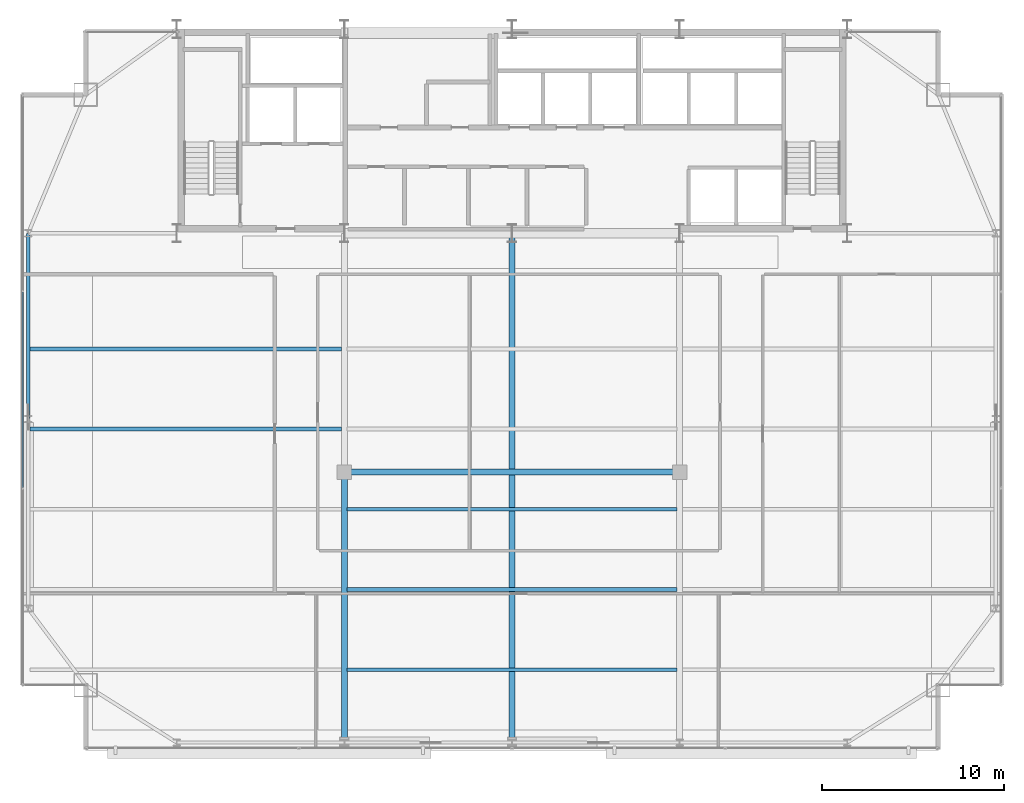
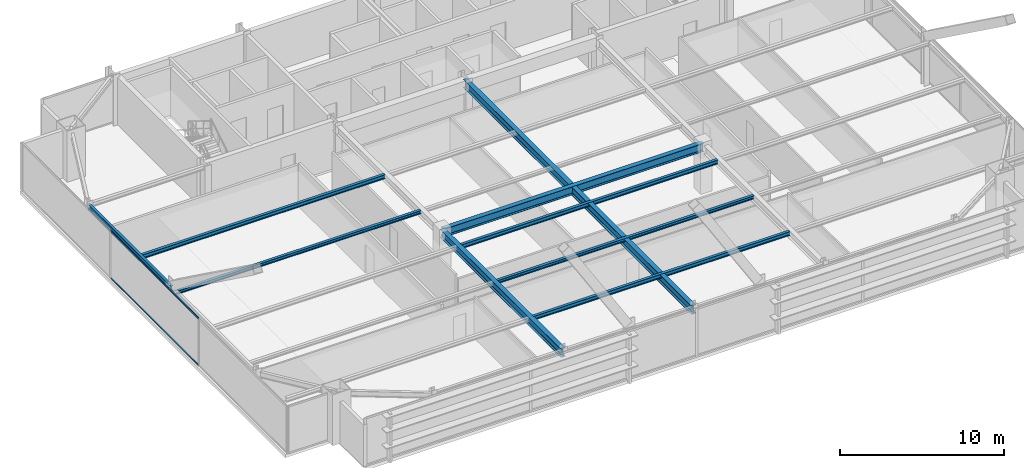
# One storey, part 10 of 30: 9 beams, 2 members, 1 element without a shape of its own.
"""IFC4 building model written with IfcOpenShell, lengths in metres."""

from ifc_helpers import new_model, si_unit, direction, frame, origin, origin_2d, place, context, subcontext, project, spatial, hollow_rectangle, i_section, extrude, source, transform, mapped, material, layer, layer_set, material_profile, profile_set, type_object, type_shapes, element, aggregate, save


model = new_model("IFC4")

# Units and contexts
model_context = context("Model", 3, precision=1e-05, world=origin(), true_north=direction((0.0, 1.0)))
body_context = subcontext(model_context, "Body", "Model", "MODEL_VIEW")
ifc_project = project(units=[si_unit("LENGTHUNIT", "METRE"), si_unit("AREAUNIT", "SQUARE_METRE"), si_unit("VOLUMEUNIT", "CUBIC_METRE"), si_unit("PLANEANGLEUNIT", "RADIAN"), si_unit("MASSUNIT", "GRAM", prefix="KILO")], contexts=[model_context])

# Site, building, storey
site_placement = place(None, origin())
site = spatial("IfcSite", under=ifc_project, at=site_placement, CompositionType="ELEMENT")
building_placement = place(site_placement, origin())
building = spatial("IfcBuilding", under=site, at=building_placement, Name="Varnel Quay Broadcast Tower", CompositionType="ELEMENT")
storey_placement = place(building_placement, frame((0.0, 0.0, 149.60009765625)))
storey = spatial("IfcBuildingStorey", under=building, at=storey_placement, Name="L36", CompositionType="ELEMENT", Elevation=149.60009765625)

# Beams
ifc_material_1 = material(Name="Structural Steel CSA G40.21 350W", Category="steel")
ifc_material_profile_1 = material_profile(ifc_material_1, i_section(OverallWidth=0.180908203125, OverallDepth=0.4169921875, WebThickness=0.010986328125, FlangeThickness=0.018310546875, FilletRadius=0.011962890625, at=origin_2d()), Name="W410X85")
ifc_profile_set_1 = profile_set([ifc_material_profile_1], Name="Structural Steel CSA G40.21 350W")
beam_type_1 = type_object("IfcBeamType", Name="Beam_W410X85", PredefinedType="SPANDREL", material=ifc_profile_set_1)
shared_shape_1 = source(origin(), body_context, "Body", "SweptSolid", [
    extrude(i_section(OverallWidth=0.180908203125, OverallDepth=0.4169921875, WebThickness=0.010986328125, FlangeThickness=0.018310546875, FilletRadius=0.011962890625, at=origin_2d()), origin(), (0.0, 0.0, 1.0), 10.16015625),
])
type_shapes(beam_type_1, [shared_shape_1])
beam_1_placement = place(storey_placement, frame((7.449951171875, 25.419921875, 3.34130859375), z_axis=(0.0, 1.0, 0.0), x_axis=(-1.0, 0.0, 0.0)))
element("IfcBeam", 1, at=beam_1_placement, inside=storey, type_object=beam_type_1, Name="L36 West Spandrel TC-W2-TC-W3", PredefinedType="SPANDREL", context=body_context, shape_type="MappedRepresentation", body=[
    mapped(shared_shape_1, transform((0.0, 0.0, 0.0), x_axis=(1.0, 0.0, 0.0), y_axis=(0.0, 1.0, 0.0), z_axis=(0.0, 0.0, 1.0), scale=1.0)),
])
ifc_material_profile_2 = material_profile(ifc_material_1, i_section(OverallWidth=0.324951171875, OverallDepth=0.615966796875, WebThickness=0.013916015625, FlangeThickness=0.021484375, FilletRadius=0.01611328125, at=origin_2d()), Name="W610X174")
ifc_profile_set_2 = profile_set([ifc_material_profile_2], Name="Structural Steel CSA G40.21 350W")
beam_type_2 = type_object("IfcBeamType", Name="Girder_W610X174", PredefinedType="BEAM", material=ifc_profile_set_2)
shared_shape_2 = source(origin(), body_context, "Body", "SweptSolid", [
    extrude(i_section(OverallWidth=0.324951171875, OverallDepth=0.615966796875, WebThickness=0.013916015625, FlangeThickness=0.021484375, FilletRadius=0.01611328125, at=origin_2d()), origin(), (0.0, 0.0, 1.0), 14.800048828125),
])
beam_2_placement = place(storey_placement, frame((24.800048828125, 7.669921875, 3.241943359375), z_axis=(0.0, 1.0, 0.0), x_axis=(-1.0, 0.0, 0.0)))
element("IfcBeam", 2, at=beam_2_placement, inside=storey, type_object=beam_type_2, Name="L36 Primary Girder TC-S2-IC-01", PredefinedType="BEAM", context=body_context, shape_type="MappedRepresentation", body=[
    mapped(shared_shape_2, transform((0.0, 0.0, 0.0), x_axis=(1.0, 0.0, 0.0), y_axis=(0.0, 1.0, 0.0), z_axis=(0.0, 0.0, 1.0), scale=1.0)),
])
shared_shape_3 = source(origin(), body_context, "Body", "SweptSolid", [
    extrude(i_section(OverallWidth=0.324951171875, OverallDepth=0.615966796875, WebThickness=0.013916015625, FlangeThickness=0.021484375, FilletRadius=0.01611328125, at=origin_2d()), origin(), (0.0, 0.0, 1.0), 18.35986328125),
])
beam_3_placement = place(storey_placement, frame((24.820068359375, 22.489990234375, 3.241943359375), z_axis=(1.0, 0.0, 0.0), x_axis=(0.0, 1.0, 0.0)))
element("IfcBeam", 3, at=beam_3_placement, inside=storey, type_object=beam_type_2, Name="L36 Interior Spine Girder", PredefinedType="BEAM", context=body_context, shape_type="MappedRepresentation", body=[
    mapped(shared_shape_3, transform((0.0, 0.0, 0.0), x_axis=(1.0, 0.0, 0.0), y_axis=(0.0, 1.0, 0.0), z_axis=(0.0, 0.0, 1.0), scale=1.0)),
])
shared_shape_4 = source(origin(), body_context, "Body", "SweptSolid", [
    extrude(i_section(OverallWidth=0.324951171875, OverallDepth=0.615966796875, WebThickness=0.013916015625, FlangeThickness=0.021484375, FilletRadius=0.01611328125, at=origin_2d()), origin(), (0.0, 0.0, 1.0), 27.91015625),
])
type_shapes(beam_type_2, [shared_shape_2, shared_shape_3, shared_shape_4])
beam_4_placement = place(storey_placement, frame((34.0, 7.669921875, 3.241943359375), z_axis=(0.0, 1.0, 0.0), x_axis=(-1.0, 0.0, 0.0)))
element("IfcBeam", 4, at=beam_4_placement, inside=storey, type_object=beam_type_2, Name="L36 Central Bay Girder", PredefinedType="BEAM", context=body_context, shape_type="MappedRepresentation", body=[
    mapped(shared_shape_4, transform((0.0, 0.0, 0.0), x_axis=(1.0, 0.0, 0.0), y_axis=(0.0, 1.0, 0.0), z_axis=(0.0, 0.0, 1.0), scale=1.0)),
])
ifc_material_profile_3 = material_profile(ifc_material_1, i_section(OverallWidth=0.202880859375, OverallDepth=0.302978515625, WebThickness=0.007568359375, FlangeThickness=0.01318359375, FilletRadius=0.011962890625, at=origin_2d()), Name="W310X60")
ifc_profile_set_3 = profile_set([ifc_material_profile_3], Name="Structural Steel CSA G40.21 350W")
beam_type_3 = type_object("IfcBeamType", Name="Beam_W310X60", PredefinedType="JOIST", material=ifc_profile_set_3)
shared_shape_5 = source(origin(), body_context, "Body", "SweptSolid", [
    extrude(i_section(OverallWidth=0.202880859375, OverallDepth=0.302978515625, WebThickness=0.007568359375, FlangeThickness=0.01318359375, FilletRadius=0.011962890625, at=origin_2d()), origin(), (0.0, 0.0, 1.0), 17.107177734375),
])
beam_5_placement = place(storey_placement, frame((7.535400390625, 29.25, 3.3984375), z_axis=(1.0, 0.0, 0.0), x_axis=(0.0, 1.0, 0.0)))
element("IfcBeam", 5, at=beam_5_placement, inside=storey, type_object=beam_type_3, Name="L36 West Floor Joist 5", PredefinedType="JOIST", context=body_context, shape_type="MappedRepresentation", body=[
    mapped(shared_shape_5, transform((0.0, 0.0, 0.0), x_axis=(1.0, 0.0, 0.0), y_axis=(0.0, 1.0, 0.0), z_axis=(0.0, 0.0, 1.0), scale=1.0)),
])
shared_shape_6 = source(origin(), body_context, "Body", "SweptSolid", [
    extrude(i_section(OverallWidth=0.202880859375, OverallDepth=0.302978515625, WebThickness=0.007568359375, FlangeThickness=0.01318359375, FilletRadius=0.011962890625, at=origin_2d()), origin(), (0.0, 0.0, 1.0), 18.0849609375),
])
type_shapes(beam_type_3, [shared_shape_5, shared_shape_6])
for number, where, z_axis, x_axis, name in (
    (6, (24.95751953125, 11.64990234375, 3.3984375), (1.0, 0.0, 0.0), (0.0, 1.0, 0.0), "L36 Central Floor Joist 1"),
    (7, (24.95751953125, 20.449951171875, 3.3984375), (1.0, 0.0, 0.0), (0.0, 1.0, 0.0), "L36 Central Floor Joist 3"),
):
    element("IfcBeam", number, at=place(storey_placement, frame(where, z_axis=z_axis, x_axis=x_axis)), inside=storey, type_object=beam_type_3, Name=name, PredefinedType="JOIST", context=body_context, shape_type="MappedRepresentation", body=[
        mapped(shared_shape_6, transform((0.0, 0.0, 0.0), x_axis=(1.0, 0.0, 0.0), y_axis=(0.0, 1.0, 0.0), z_axis=(0.0, 0.0, 1.0), scale=1.0)),
    ])
ifc_material_profile_4 = material_profile(ifc_material_1, i_section(OverallWidth=0.201904296875, OverallDepth=0.2470703125, WebThickness=0.00732421875, FlangeThickness=0.010986328125, FilletRadius=0.010986328125, at=origin_2d()), Name="W250X49")
ifc_profile_set_4 = profile_set([ifc_material_profile_4], Name="Structural Steel CSA G40.21 350W")
beam_type_4 = type_object("IfcBeamType", Name="Beam_W250X49", PredefinedType="JOIST", material=ifc_profile_set_4)
shared_shape_7 = source(origin(), body_context, "Body", "SweptSolid", [
    extrude(i_section(OverallWidth=0.201904296875, OverallDepth=0.2470703125, WebThickness=0.00732421875, FlangeThickness=0.010986328125, FilletRadius=0.010986328125, at=origin_2d()), origin(), (0.0, 0.0, 1.0), 17.107177734375),
])
beam_6_placement = place(storey_placement, frame((7.535400390625, 24.85009765625, 3.426513671875), z_axis=(1.0, 0.0, 0.0), x_axis=(0.0, 1.0, 0.0)))
element("IfcBeam", 8, at=beam_6_placement, inside=storey, type_object=beam_type_4, Name="L36 West Floor Joist 4", PredefinedType="JOIST", context=body_context, shape_type="MappedRepresentation", body=[
    mapped(shared_shape_7, transform((0.0, 0.0, 0.0), x_axis=(1.0, 0.0, 0.0), y_axis=(0.0, 1.0, 0.0), z_axis=(0.0, 0.0, 1.0), scale=1.0)),
])
shared_shape_8 = source(origin(), body_context, "Body", "SweptSolid", [
    extrude(i_section(OverallWidth=0.201904296875, OverallDepth=0.2470703125, WebThickness=0.00732421875, FlangeThickness=0.010986328125, FilletRadius=0.010986328125, at=origin_2d()), origin(), (0.0, 0.0, 1.0), 18.0849609375),
])
type_shapes(beam_type_4, [shared_shape_7, shared_shape_8])
beam_7_placement = place(storey_placement, frame((24.95751953125, 16.050048828125, 3.426513671875), z_axis=(1.0, 0.0, 0.0), x_axis=(0.0, 1.0, 0.0)))
element("IfcBeam", 9, at=beam_7_placement, inside=storey, type_object=beam_type_4, Name="L36 Central Floor Joist 2", PredefinedType="JOIST", context=body_context, shape_type="MappedRepresentation", body=[
    mapped(shared_shape_8, transform((0.0, 0.0, 0.0), x_axis=(1.0, 0.0, 0.0), y_axis=(0.0, 1.0, 0.0), z_axis=(0.0, 0.0, 1.0), scale=1.0)),
])

# Curtain wall, members
ifc_material_2 = material(Name="Anodised Bronze Aluminium 6063-T6", Category="aluminium")
ifc_layer = layer(ifc_material_2, 0.18994140625, Name="Anodised Bronze Aluminium 6063-T6")
ifc_layer_set = layer_set([ifc_layer], Name="Anodised Bronze Aluminium 6063-T6")
curtain_wall_type = type_object("IfcCurtainWallType", Name="CW_UpperTower", PredefinedType="NOTDEFINED", material=ifc_layer_set)
curtain_wall_placement = place(storey_placement, origin())
curtain_wall = element("IfcCurtainWall", 10, at=curtain_wall_placement, inside=storey, type_object=curtain_wall_type, Name="L36 West Unitised Curtain Wall", PredefinedType="NOTDEFINED")
ifc_material_profile_5 = material_profile(ifc_material_2, hollow_rectangle(XDim=0.06005859375, YDim=0.125, WallThickness=0.0029296875, at=origin_2d()), Name="ALU60X125X3")
ifc_profile_set_5 = profile_set([ifc_material_profile_5], Name="Anodised Bronze Aluminium 6063-T6")
member_type = type_object("IfcMemberType", Name="Tran_CWS-03", PredefinedType="USERDEFINED", material=ifc_profile_set_5)
shared_shape_9 = source(origin(), body_context, "Body", "SweptSolid", [
    extrude(hollow_rectangle(XDim=0.06005859375, YDim=0.125, WallThickness=0.0029296875, at=origin_2d()), origin(), (0.0, 0.0, 1.0), 10.73486328125),
])
type_shapes(member_type, [shared_shape_9])
member_1_placement = place(storey_placement, frame((7.14990234375, 21.632568359375, 0.02978515625), z_axis=(0.0, 1.0, 0.0), x_axis=(-1.0, 0.0, 0.0)))
member_1 = element("IfcMember", 11, at=member_1_placement, type_object=member_type, Name="CWS-03 transom 2.1", ObjectType="TRANSOM", PredefinedType="USERDEFINED", context=body_context, shape_type="MappedRepresentation", body=[
    mapped(shared_shape_9, transform((0.0, 0.0, 0.0), x_axis=(1.0, 0.0, 0.0), y_axis=(0.0, 1.0, 0.0), z_axis=(0.0, 0.0, 1.0), scale=1.0)),
])
member_2_placement = place(storey_placement, frame((7.14990234375, 21.632568359375, 3.52001953125), z_axis=(0.0, 1.0, 0.0), x_axis=(-1.0, 0.0, 0.0)))
member_2 = element("IfcMember", 12, at=member_2_placement, type_object=member_type, Name="CWS-03 transom 2.2", ObjectType="TRANSOM", PredefinedType="USERDEFINED", context=body_context, shape_type="MappedRepresentation", body=[
    mapped(shared_shape_9, transform((0.0, 0.0, 0.0), x_axis=(1.0, 0.0, 0.0), y_axis=(0.0, 1.0, 0.0), z_axis=(0.0, 0.0, 1.0), scale=1.0)),
])
aggregate(curtain_wall, [member_1, member_2])

save(model, "model.ifc")
